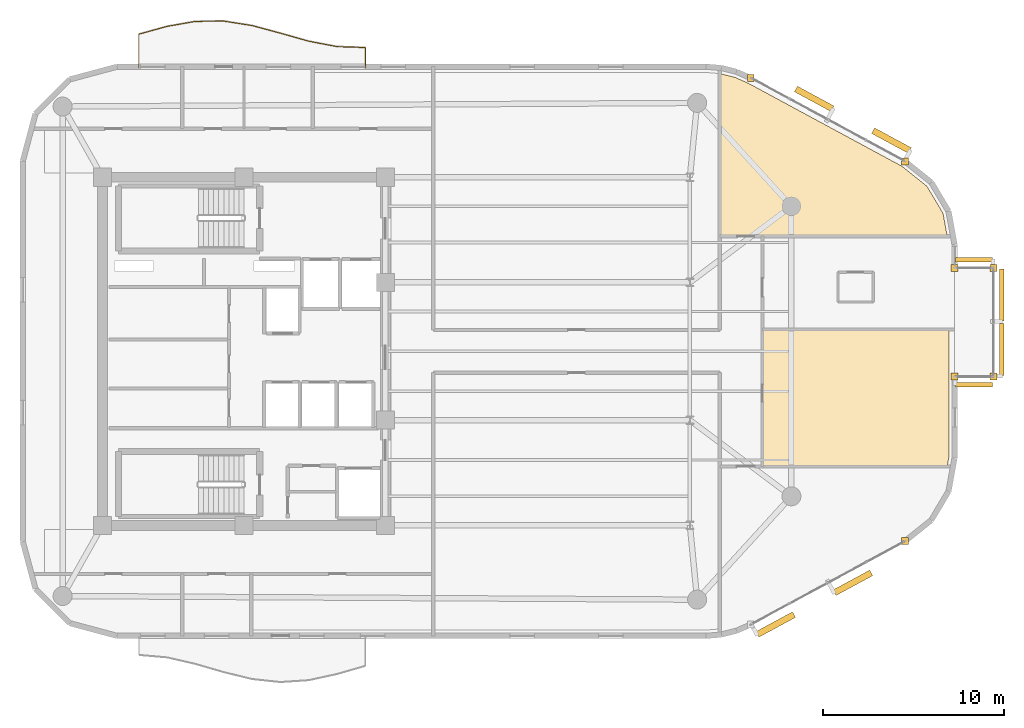
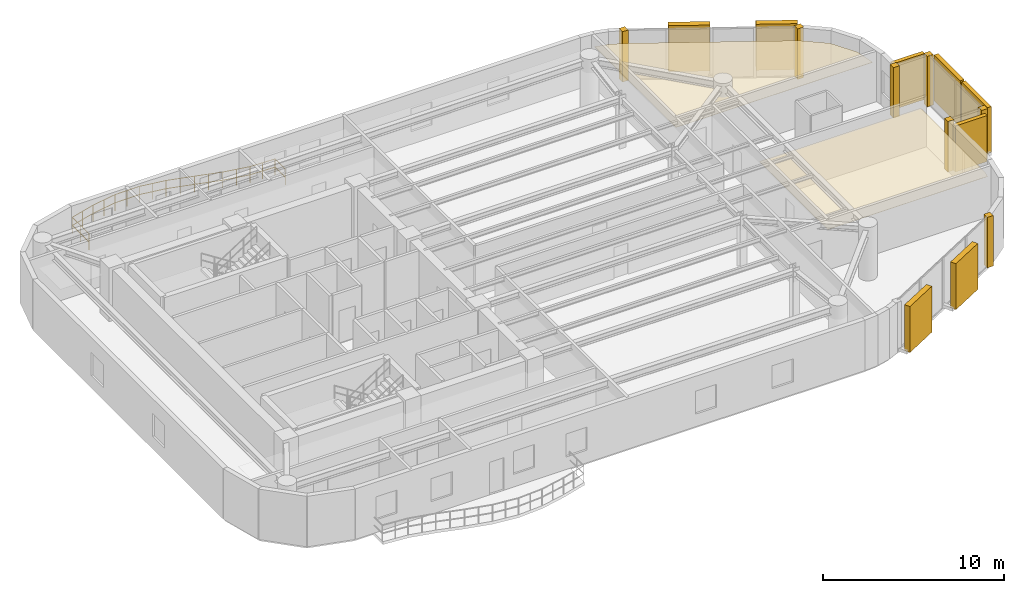
# One storey, part 14 of 14: 9 coverings, 8 shading devices, 1 railing.
"""IFC4 building model written with IfcOpenShell, lengths in metres."""

from ifc_helpers import new_model, si_unit, direction, frame, origin, origin_2d, place, context, subcontext, project, spatial, polyline, rectangle, circle, outline, extrude, material, layer, layer_set, type_object, element, save


model = new_model("IFC4")

# Units and contexts
model_context = context("Model", 3, precision=1e-05, world=origin(), true_north=direction((0.0, 1.0)))
body_context = subcontext(model_context, "Body", "Model", "MODEL_VIEW")
ifc_project = project(units=[si_unit("LENGTHUNIT", "METRE"), si_unit("AREAUNIT", "SQUARE_METRE"), si_unit("VOLUMEUNIT", "CUBIC_METRE"), si_unit("PLANEANGLEUNIT", "RADIAN"), si_unit("MASSUNIT", "GRAM", prefix="KILO")], contexts=[model_context])

# Site, building, storey
site_placement = place(None, origin())
site = spatial("IfcSite", under=ifc_project, at=site_placement, CompositionType="ELEMENT")
building_placement = place(site_placement, origin())
building = spatial("IfcBuilding", under=site, at=building_placement, Name="An Khanh Terracotta Commons", CompositionType="ELEMENT")
storey_placement = place(building_placement, frame((0.0, 0.0, 230.10009765625)))
storey = spatial("IfcBuildingStorey", under=building, at=storey_placement, Name="L60", CompositionType="ELEMENT", Elevation=230.10009765625)

# Coverings
ifc_material_1 = material(Name="Perforated Mineral-Fibre Acoustic Tile")
ifc_layer_1 = layer(ifc_material_1, 0.02001953125, Name="Perforated Mineral-Fibre Acoustic Tile")
ifc_layer_set_1 = layer_set([ifc_layer_1], Name="Perforated Mineral-Fibre Acoustic Tile")
covering_type_1 = type_object("IfcCoveringType", Name="CEIL-ACOUSTIC-18", PredefinedType="CEILING", material=ifc_layer_set_1)
covering_1_placement = place(storey_placement, frame((0.0, 0.0, 2.64990234375)))
element("IfcCovering", 1, at=covering_1_placement, inside=storey, type_object=covering_type_1, Name="L60 Music Practice Hall Ceiling", PredefinedType="CEILING", context=body_context, shape_type="SweptSolid", body=[
    extrude(outline(polyline([(55.68701171875, 39.31201171875), (56.467041015625, 39.114990234375), (57.217041015625, 38.787109375), (65.695068359375, 34.2060546875), (67.074951171875, 33.10205078125), (67.964111328125, 31.610107421875), (68.193115234375, 30.35009765625), (58.0, 30.35009765625), (55.64990234375, 30.35009765625), (55.64990234375, 39.31494140625), (55.68701171875, 39.31201171875)])), origin(), (0.0, 0.0, 1.0), 0.02001953125),
])
covering_2_placement = place(storey_placement, frame((0.0, 0.0, 2.64990234375)))
element("IfcCovering", 2, at=covering_2_placement, inside=storey, type_object=covering_type_1, Name="L60 Riverfront Study Lounge Ceiling", PredefinedType="CEILING", context=body_context, shape_type="SweptSolid", body=[
    extrude(outline(polyline([(68.280029296875, 18.1298828125), (68.193115234375, 17.64990234375), (58.0, 17.64990234375), (58.0, 22.820068359375), (58.0, 25.179931640625), (58.0, 25.199951171875), (68.280029296875, 25.199951171875), (68.280029296875, 18.1298828125)])), origin(), (0.0, 0.0, 1.0), 0.02001953125),
])
ifc_material_2 = material(Name="Fired Terracotta Rainscreen Cladding", Category="masonry")
ifc_layer_2 = layer(ifc_material_2, 0.080078125, Name="Fired Terracotta Rainscreen Cladding")
ifc_layer_set_2 = layer_set([ifc_layer_2], Name="Fired Terracotta Rainscreen Cladding")
covering_type_2 = type_object("IfcCoveringType", Name="COV-JAMB-TERRA", PredefinedType="CLADDING", material=ifc_layer_set_2)
for number, where, z_axis, x_axis, name in (
    (3, (65.8720703125, 13.52587890625, 0.0), (0.0, 0.0, 1.0), (1.0, 0.0, 0.0), "L60 CW-03 Curtain-Wall Jamb Closure JB"),
    (4, (70.75, 22.60009765625, 0.0), (0.0, 0.0, 1.0), (1.0, 0.0, 0.0), "L60 CW-04 Curtain-Wall Jamb Closure JA"),
    (5, (70.75, 28.60009765625, 0.0), (0.0, 0.0, 1.0), (1.0, 0.0, 0.0), "L60 CW-04 Curtain-Wall Jamb Closure JB"),
    (6, (68.60009765625, 22.60009765625, 0.0), (0.0, 0.0, 1.0), (1.0, 0.0, 0.0), "L60 CW-04 Curtain-Wall Jamb Closure JA"),
    (7, (68.60009765625, 28.60009765625, 0.0), (0.0, 0.0, 1.0), (1.0, 0.0, 0.0), "L60 CW-04 Curtain-Wall Jamb Closure JB"),
    (8, (65.8720703125, 34.47412109375, 0.0), (0.0, 0.0, 1.0), (1.0, 0.0, 0.0), "L60 CW-03 Curtain-Wall Jamb Closure JA"),
    (9, (57.35693359375, 39.074951171875, 0.0), (0.0, 0.0, 1.0), (1.0, 0.0, 0.0), "L60 CW-03 Curtain-Wall Jamb Closure JB"),
):
    element("IfcCovering", number, at=place(storey_placement, frame(where, z_axis=z_axis, x_axis=x_axis)), inside=storey, type_object=covering_type_2, Name=name, PredefinedType="CLADDING", context=body_context, shape_type="SweptSolid", body=[
        extrude(rectangle(XDim=0.3798828125, YDim=0.3798828125, at=origin_2d()), origin(), (0.0, 0.0, 1.0), 3.39990234375),
    ])

# Railing
ifc_material_3 = material(Name="Brushed Stainless Steel 316", Category="steel")
railing_type = type_object("IfcRailingType", Name="RAIL-BALUSTRADE-1100", PredefinedType="BALUSTRADE", material=ifc_material_3)
railing_placement = place(storey_placement, frame((36.10009765625, 39.639892578125, 0.0)))
element("IfcRailing", 10, at=railing_placement, inside=storey, type_object=railing_type, Name="L60 N Wave Balcony Guard Balustrade", PredefinedType="BALUSTRADE", context=body_context, shape_type="SweptSolid", body=[
    extrude(circle(Radius=0.02392578125, at=origin_2d()), frame((0.0, 0.0, 1.076171875), z_axis=(0.0, 1.0, 0.0), x_axis=(-1.0, 0.0, 0.0)), (0.0, 0.0, 1.0), 1.114013671875),
    extrude(circle(Radius=0.02392578125, at=origin_2d()), frame((0.0, 0.0, 0.52587890625), z_axis=(0.0, 1.0, 0.0), x_axis=(-1.0, 0.0, 0.0)), (0.0, 0.0, 1.0), 1.114013671875),
    extrude(circle(Radius=0.02392578125, at=origin_2d()), frame((0.0, 1.114013671875, 1.076171875), z_axis=(-0.999487073646, 0.032024828087, 0.0), x_axis=(-0.032024828087, -0.999487073646, 0.0)), (0.0, 0.0, 1.0), 1.562744140625),
    extrude(circle(Radius=0.02392578125, at=origin_2d()), frame((0.0, 1.114013671875, 0.52587890625), z_axis=(-0.999487073646, 0.032024828087, 0.0), x_axis=(-0.032024828087, -0.999487073646, 0.0)), (0.0, 0.0, 1.0), 1.562744140625),
    extrude(circle(Radius=0.02392578125, at=origin_2d()), frame((-1.56201171875, 1.1640625, 1.076171875), z_axis=(-0.982067667814, 0.188528766595, 0.0), x_axis=(-0.188528766595, -0.982067667814, 0.0)), (0.0, 0.0, 1.0), 1.591552734375),
    extrude(circle(Radius=0.02392578125, at=origin_2d()), frame((-1.56201171875, 1.1640625, 0.52587890625), z_axis=(-0.982067667814, 0.188528766595, 0.0), x_axis=(-0.188528766595, -0.982067667814, 0.0)), (0.0, 0.0, 1.0), 1.591552734375),
    extrude(circle(Radius=0.02392578125, at=origin_2d()), frame((-3.125, 1.464111328125, 1.076171875), z_axis=(-0.962393224433, 0.271660231842, 0.0), x_axis=(-0.271660231842, -0.962393224433, 0.0)), (0.0, 0.0, 1.0), 1.623046875),
    extrude(circle(Radius=0.02392578125, at=origin_2d()), frame((-3.125, 1.464111328125, 0.52587890625), z_axis=(-0.962393224433, 0.271660231842, 0.0), x_axis=(-0.271660231842, -0.962393224433, 0.0)), (0.0, 0.0, 1.0), 1.623046875),
    extrude(circle(Radius=0.02392578125, at=origin_2d()), frame((-4.68701171875, 1.905029296875, 1.076171875), z_axis=(-0.965563315194, 0.260168184741, 0.0), x_axis=(-0.260168184741, -0.965563315194, 0.0)), (0.0, 0.0, 1.0), 1.61865234375),
    extrude(circle(Radius=0.02392578125, at=origin_2d()), frame((-4.68701171875, 1.905029296875, 0.52587890625), z_axis=(-0.965563315194, 0.260168184741, 0.0), x_axis=(-0.260168184741, -0.965563315194, 0.0)), (0.0, 0.0, 1.0), 1.61865234375),
    extrude(circle(Radius=0.02392578125, at=origin_2d()), frame((-6.25, 2.326171875, 1.076171875), z_axis=(-0.987744181827, 0.156081489188, 0.0), x_axis=(-0.156081489188, -0.987744181827, 0.0)), (0.0, 0.0, 1.0), 1.581298828125),
    extrude(circle(Radius=0.02392578125, at=origin_2d()), frame((-6.25, 2.326171875, 0.52587890625), z_axis=(-0.987744181827, 0.156081489188, 0.0), x_axis=(-0.156081489188, -0.987744181827, 0.0)), (0.0, 0.0, 1.0), 1.581298828125),
    extrude(circle(Radius=0.02392578125, at=origin_2d()), frame((-7.81201171875, 2.572998046875, 1.076171875), z_axis=(-0.99994192369, -0.010777255972, 0.0), x_axis=(0.010777255972, -0.99994192369, 0.0)), (0.0, 0.0, 1.0), 1.56298828125),
    extrude(circle(Radius=0.02392578125, at=origin_2d()), frame((-7.81201171875, 2.572998046875, 0.52587890625), z_axis=(-0.99994192369, -0.010777255972, 0.0), x_axis=(0.010777255972, -0.99994192369, 0.0)), (0.0, 0.0, 1.0), 1.56298828125),
    extrude(circle(Radius=0.02392578125, at=origin_2d()), frame((-9.375, 2.55615234375, 1.076171875), z_axis=(-0.984968974178, -0.172731351833, 0.0), x_axis=(0.172731351833, -0.984968974178, 0.0)), (0.0, 0.0, 1.0), 1.5859375),
    extrude(circle(Radius=0.02392578125, at=origin_2d()), frame((-9.375, 2.55615234375, 0.52587890625), z_axis=(-0.984968974178, -0.172731351833, 0.0), x_axis=(0.172731351833, -0.984968974178, 0.0)), (0.0, 0.0, 1.0), 1.5859375),
    extrude(circle(Radius=0.02392578125, at=origin_2d()), frame((-10.93701171875, 2.2822265625, 1.076171875), z_axis=(-0.963840743753, -0.266478931028, 0.0), x_axis=(0.266478931028, -0.963840743753, 0.0)), (0.0, 0.0, 1.0), 1.62158203125),
    extrude(circle(Radius=0.02392578125, at=origin_2d()), frame((-10.93701171875, 2.2822265625, 0.52587890625), z_axis=(-0.963840743753, -0.266478931028, 0.0), x_axis=(0.266478931028, -0.963840743753, 0.0)), (0.0, 0.0, 1.0), 1.62158203125),
    extrude(circle(Radius=0.02392578125, at=origin_2d()), frame((-12.5, 1.85009765625, 1.076171875), z_axis=(0.0, -1.0, 0.0), x_axis=(1.0, 0.0, 0.0)), (0.0, 0.0, 1.0), 1.85009765625),
    extrude(circle(Radius=0.02392578125, at=origin_2d()), frame((-12.5, 1.85009765625, 0.52587890625), z_axis=(0.0, -1.0, 0.0), x_axis=(1.0, 0.0, 0.0)), (0.0, 0.0, 1.0), 1.85009765625),
    extrude(circle(Radius=0.02099609375, at=origin_2d()), origin(), (0.0, 0.0, 1.0), 1.052001953125),
    extrude(circle(Radius=0.02099609375, at=origin_2d()), frame((0.0, 1.114013671875, 0.0)), (0.0, 0.0, 1.0), 1.052001953125),
    extrude(circle(Radius=0.02099609375, at=origin_2d()), frame((-0.781005859375, 1.13916015625, 0.0)), (0.0, 0.0, 1.0), 1.052001953125),
    extrude(circle(Radius=0.02099609375, at=origin_2d()), frame((-1.56201171875, 1.1640625, 0.0)), (0.0, 0.0, 1.0), 1.052001953125),
    extrude(circle(Radius=0.02099609375, at=origin_2d()), frame((-2.343505859375, 1.31396484375, 0.0)), (0.0, 0.0, 1.0), 1.052001953125),
    extrude(circle(Radius=0.02099609375, at=origin_2d()), frame((-3.125, 1.464111328125, 0.0)), (0.0, 0.0, 1.0), 1.052001953125),
    extrude(circle(Radius=0.02099609375, at=origin_2d()), frame((-3.906005859375, 1.6845703125, 0.0)), (0.0, 0.0, 1.0), 1.052001953125),
    extrude(circle(Radius=0.02099609375, at=origin_2d()), frame((-4.68701171875, 1.905029296875, 0.0)), (0.0, 0.0, 1.0), 1.052001953125),
    extrude(circle(Radius=0.02099609375, at=origin_2d()), frame((-5.468505859375, 2.11572265625, 0.0)), (0.0, 0.0, 1.0), 1.052001953125),
    extrude(circle(Radius=0.02099609375, at=origin_2d()), frame((-6.25, 2.326171875, 0.0)), (0.0, 0.0, 1.0), 1.052001953125),
    extrude(circle(Radius=0.02099609375, at=origin_2d()), frame((-7.031005859375, 2.44970703125, 0.0)), (0.0, 0.0, 1.0), 1.052001953125),
    extrude(circle(Radius=0.02099609375, at=origin_2d()), frame((-7.81201171875, 2.572998046875, 0.0)), (0.0, 0.0, 1.0), 1.052001953125),
    extrude(circle(Radius=0.02099609375, at=origin_2d()), frame((-8.593505859375, 2.564453125, 0.0)), (0.0, 0.0, 1.0), 1.052001953125),
    extrude(circle(Radius=0.02099609375, at=origin_2d()), frame((-9.375, 2.55615234375, 0.0)), (0.0, 0.0, 1.0), 1.052001953125),
    extrude(circle(Radius=0.02099609375, at=origin_2d()), frame((-10.156005859375, 2.419189453125, 0.0)), (0.0, 0.0, 1.0), 1.052001953125),
    extrude(circle(Radius=0.02099609375, at=origin_2d()), frame((-10.93701171875, 2.2822265625, 0.0)), (0.0, 0.0, 1.0), 1.052001953125),
    extrude(circle(Radius=0.02099609375, at=origin_2d()), frame((-11.718505859375, 2.066162109375, 0.0)), (0.0, 0.0, 1.0), 1.052001953125),
    extrude(circle(Radius=0.02099609375, at=origin_2d()), frame((-12.5, 1.85009765625, 0.0)), (0.0, 0.0, 1.0), 1.052001953125),
    extrude(circle(Radius=0.02099609375, at=origin_2d()), frame((-12.5, 0.925048828125, 0.0)), (0.0, 0.0, 1.0), 1.052001953125),
    extrude(circle(Radius=0.02099609375, at=origin_2d()), frame((-12.5, 0.0, 0.0)), (0.0, 0.0, 1.0), 1.052001953125),
])

# Shading devices
ifc_material_4 = material(Name="Warm Hardwood Timber-Finish Aluminium", Category="wood")
shading_device_type_1 = type_object("IfcShadingDeviceType", Name="Shifted Box Timber-Toned Louvre Screen", PredefinedType="USERDEFINED", material=ifc_material_4)
for number, where, z_axis, x_axis, name in (
    (11, (71.199951171875, 24.10009765625, 0.14990234375), (0.0, 0.0, 1.0), (0.0, 1.0, 0.0), "L60 Louvre Screen 1"),
    (12, (71.199951171875, 27.10009765625, 0.14990234375), (0.0, 0.0, 1.0), (0.0, 1.0, 0.0), "L60 Louvre Screen 2"),
):
    element("IfcShadingDevice", number, at=place(storey_placement, frame(where, z_axis=z_axis, x_axis=x_axis)), inside=storey, type_object=shading_device_type_1, Name=name, ObjectType="LOUVRE", PredefinedType="USERDEFINED", context=body_context, shape_type="SweptSolid", body=[
        extrude(rectangle(XDim=2.8798828125, YDim=0.25, at=origin_2d()), origin(), (0.0, 0.0, 1.0), 3.10009765625),
    ])
for number, where, z_axis, x_axis, name in (
    (13, (69.675048828125, 22.14990234375, 0.14990234375), (0.0, 0.0, 1.0), (1.0, 0.0, 0.0), "L60 Louvre Screen 1"),
    (14, (69.675048828125, 29.050048828125, 0.14990234375), (0.0, 0.0, 1.0), (-1.0, 0.0, 0.0), "L60 Louvre Screen 1"),
):
    element("IfcShadingDevice", number, at=place(storey_placement, frame(where, z_axis=z_axis, x_axis=x_axis)), inside=storey, type_object=shading_device_type_1, Name=name, ObjectType="LOUVRE", PredefinedType="USERDEFINED", context=body_context, shape_type="SweptSolid", body=[
        extrude(rectangle(XDim=2.030029296875, YDim=0.25, at=origin_2d()), origin(), (0.0, 0.0, 1.0), 3.10009765625),
    ])
ifc_material_5 = material(Name="Extruded Fired Terracotta", Category="masonry")
shading_device_type_2 = type_object("IfcShadingDeviceType", Name="Terracotta Baguette Screen Assembly", PredefinedType="USERDEFINED", material=ifc_material_5)
for number, where, z_axis, x_axis, name in (
    (15, (58.72998046875, 8.927978515625, 0.14990234375), (0.0, 0.0, 1.0), (0.879780095306, 0.47538088298, 0.0), "L60 Terracotta Baguette Screen 1"),
    (16, (62.988037109375, 11.22900390625, 0.14990234375), (0.0, 0.0, 1.0), (0.879780095306, 0.47538088298, 0.0), "L60 Terracotta Baguette Screen 3"),
    (17, (65.116943359375, 35.62109375, 0.14990234375), (0.0, 0.0, 1.0), (-0.879780095306, 0.47538088298, 0.0), "L60 Terracotta Baguette Screen 1"),
    (18, (60.85888671875, 37.9208984375, 0.14990234375), (0.0, 0.0, 1.0), (-0.879780095306, 0.47538088298, 0.0), "L60 Terracotta Baguette Screen 3"),
):
    element("IfcShadingDevice", number, at=place(storey_placement, frame(where, z_axis=z_axis, x_axis=x_axis)), inside=storey, type_object=shading_device_type_2, Name=name, ObjectType="BAGUETTE", PredefinedType="USERDEFINED", context=body_context, shape_type="SweptSolid", body=[
        extrude(rectangle(XDim=2.300048828125, YDim=0.35009765625, at=origin_2d()), origin(), (0.0, 0.0, 1.0), 3.10009765625),
    ])

save(model, "model.ifc")
